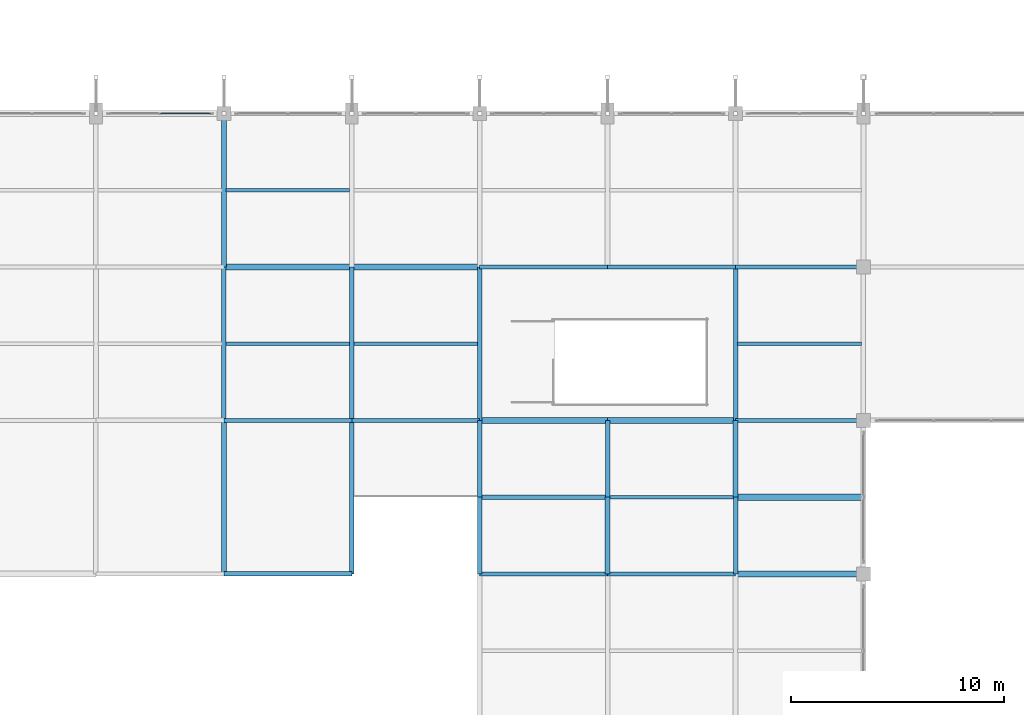
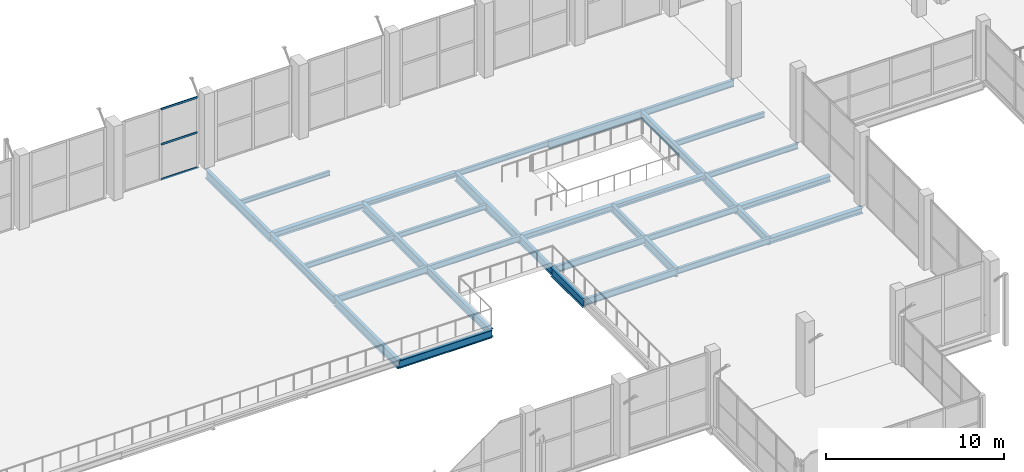
# One storey, part 57 of 127: 34 beams, 3 members, 1 element without a shape of its own.
"""IFC4 building model written with IfcOpenShell, lengths in metres."""

from ifc_helpers import new_model, si_unit, direction, frame, origin, origin_2d, place, context, subcontext, project, spatial, hollow_rectangle, i_section, extrude, material, layer, layer_set, material_profile, profile_set, type_object, element, aggregate, save


model = new_model("IFC4")

# Units and contexts
model_context = context("Model", 3, precision=1e-05, world=origin(), true_north=direction((0.0, 1.0)))
body_context = subcontext(model_context, "Body", "Model", "MODEL_VIEW")
ifc_project = project(units=[si_unit("LENGTHUNIT", "METRE"), si_unit("AREAUNIT", "SQUARE_METRE"), si_unit("VOLUMEUNIT", "CUBIC_METRE"), si_unit("PLANEANGLEUNIT", "RADIAN"), si_unit("MASSUNIT", "GRAM", prefix="KILO")], contexts=[model_context])

# Site, building, storey
site_placement = place(None, origin())
site = spatial("IfcSite", under=ifc_project, at=site_placement, CompositionType="ELEMENT")
building_placement = place(site_placement, origin())
building = spatial("IfcBuilding", under=site, at=building_placement, Name="Dunvalen Ferry Terminal", CompositionType="ELEMENT")
storey_placement = place(building_placement, frame((0.0, 0.0, 5.760009765625)))
storey = spatial("IfcBuildingStorey", under=building, at=storey_placement, Name="L01", CompositionType="ELEMENT", Elevation=5.760009765625)

# Curtain wall, members
ifc_material_1 = material(Name="Anodised marine aluminium and solar-control glazing", Category="aluminium")
ifc_layer = layer(ifc_material_1, 0.219970703125, Name="Anodised marine aluminium and solar-control glazing")
ifc_layer_set = layer_set([ifc_layer], Name="Anodised marine aluminium and solar-control glazing")
curtain_wall_type = type_object("IfcCurtainWallType", Name="ENV-CW-SYS-02", PredefinedType="NOTDEFINED", material=ifc_layer_set)
curtain_wall_placement = place(storey_placement, origin())
curtain_wall = element("IfcCurtainWall", 1, at=curtain_wall_placement, inside=storey, type_object=curtain_wall_type, Name="L01 Curtain Wall CW-V1N-L01-09", PredefinedType="NOTDEFINED")
ifc_material_2 = material(Name="Anodised marine aluminium EN AW-6063 T6", Category="aluminium")
ifc_material_profile_1 = material_profile(ifc_material_2, hollow_rectangle(XDim=0.06005859375, YDim=0.135009765625, WallThickness=0.003173828125, InnerFilletRadius=0.003173828125, OuterFilletRadius=0.00634765625, at=origin_2d()), Name="Anodised marine aluminium EN AW-6063 T6")
ifc_profile_set_1 = profile_set([ifc_material_profile_1], Name="Anodised marine aluminium EN AW-6063 T6")
member_type = type_object("IfcMemberType", Name="ENV-CW-TRN-2", PredefinedType="USERDEFINED", material=ifc_profile_set_1)
member_1_placement = place(storey_placement, frame((63.030029296875, 86.39990234375, 0.030029296875), z_axis=(1.0, 0.0, 0.0), x_axis=(0.0, 1.0, 0.0)))
member_1 = element("IfcMember", 2, at=member_1_placement, type_object=member_type, Name="CW-02 transom 2.1", ObjectType="TRANSOM", PredefinedType="USERDEFINED", context=body_context, shape_type="SweptSolid", body=[
    extrude(hollow_rectangle(XDim=0.06005859375, YDim=0.135009765625, WallThickness=0.003173828125, InnerFilletRadius=0.003173828125, OuterFilletRadius=0.00634765625, at=origin_2d()), origin(), (0.0, 0.0, 1.0), 2.349853515625),
])
member_2_placement = place(storey_placement, frame((63.030029296875, 86.39990234375, 2.429931640625), z_axis=(1.0, 0.0, 0.0), x_axis=(0.0, 1.0, 0.0)))
member_2 = element("IfcMember", 3, at=member_2_placement, type_object=member_type, Name="CW-02 transom 2.2", ObjectType="TRANSOM", PredefinedType="USERDEFINED", context=body_context, shape_type="SweptSolid", body=[
    extrude(hollow_rectangle(XDim=0.06005859375, YDim=0.135009765625, WallThickness=0.003173828125, InnerFilletRadius=0.003173828125, OuterFilletRadius=0.00634765625, at=origin_2d()), origin(), (0.0, 0.0, 1.0), 2.349853515625),
])
member_3_placement = place(storey_placement, frame((63.030029296875, 86.39990234375, 4.830078125), z_axis=(1.0, 0.0, 0.0), x_axis=(0.0, 1.0, 0.0)))
member_3 = element("IfcMember", 4, at=member_3_placement, type_object=member_type, Name="CW-02 transom 2.3", ObjectType="TRANSOM", PredefinedType="USERDEFINED", context=body_context, shape_type="SweptSolid", body=[
    extrude(hollow_rectangle(XDim=0.06005859375, YDim=0.135009765625, WallThickness=0.003173828125, InnerFilletRadius=0.003173828125, OuterFilletRadius=0.00634765625, at=origin_2d()), origin(), (0.0, 0.0, 1.0), 2.349853515625),
])
aggregate(curtain_wall, [member_1, member_2, member_3])

# Beams
ifc_material_3 = material(Name="Steel S355", Category="steel")
ifc_material_profile_2 = material_profile(ifc_material_3, i_section(OverallWidth=0.300048828125, OverallDepth=0.31005859375, WebThickness=0.009033203125, FlangeThickness=0.015380859375, FilletRadius=0.027099609375, at=origin_2d()), Name="Steel S355")
ifc_profile_set_2 = profile_set([ifc_material_profile_2], Name="Steel S355")
beam_type_1 = type_object("IfcBeamType", Name="STR-BM-HEA320", PredefinedType="SPANDREL", material=ifc_profile_set_2)
for number, where, z_axis, x_axis, name in (
    (5, (84.0, 72.0, -0.43505859375), (1.0, 0.0, 0.0), (0.0, 1.0, 0.0), "L01 V1M Primary Beam X-046"),
    (6, (72.0, 79.199951171875, -0.43505859375), (1.0, 0.0, 0.0), (0.0, 1.0, 0.0), "L01 V1M Primary Beam X-058"),
):
    element("IfcBeam", number, at=place(storey_placement, frame(where, z_axis=z_axis, x_axis=x_axis)), inside=storey, type_object=beam_type_1, Name=name, PredefinedType="SPANDREL", context=body_context, shape_type="SweptSolid", body=[
        extrude(i_section(OverallWidth=0.300048828125, OverallDepth=0.31005859375, WebThickness=0.009033203125, FlangeThickness=0.015380859375, FilletRadius=0.027099609375, at=origin_2d()), origin(), (0.0, 0.0, 1.0), 6.0),
    ])
ifc_material_profile_3 = material_profile(ifc_material_3, i_section(OverallWidth=0.300048828125, OverallDepth=0.389892578125, WebThickness=0.010986328125, FlangeThickness=0.01904296875, FilletRadius=0.027099609375, at=origin_2d()), Name="Steel S355")
ifc_profile_set_3 = profile_set([ifc_material_profile_3], Name="Steel S355")
beam_type_2 = type_object("IfcBeamType", Name="STR-BM-HEA400", PredefinedType="BEAM", material=ifc_profile_set_3)
for number, where, z_axis, x_axis, name in (
    (7, (90.0, 64.800048828125, -0.47509765625), (1.0, 0.0, 0.0), (0.0, 1.0, 0.0), "L01 V1M Primary Beam X-027"),
    (8, (90.0, 68.39990234375, -0.47509765625), (1.0, 0.0, 0.0), (0.0, 1.0, 0.0), "L01 V1M Primary Beam X-033"),
    (9, (78.0, 72.0, -0.47509765625), (1.0, 0.0, 0.0), (0.0, 1.0, 0.0), "L01 V1M Primary Beam X-045"),
    (10, (66.0, 79.199951171875, -0.47509765625), (1.0, 0.0, 0.0), (0.0, 1.0, 0.0), "L01 V1M Primary Beam X-057"),
):
    element("IfcBeam", number, at=place(storey_placement, frame(where, z_axis=z_axis, x_axis=x_axis)), inside=storey, type_object=beam_type_2, Name=name, PredefinedType="BEAM", context=body_context, shape_type="SweptSolid", body=[
        extrude(i_section(OverallWidth=0.300048828125, OverallDepth=0.389892578125, WebThickness=0.010986328125, FlangeThickness=0.01904296875, FilletRadius=0.027099609375, at=origin_2d()), origin(), (0.0, 0.0, 1.0), 6.0),
    ])
ifc_material_profile_4 = material_profile(ifc_material_3, i_section(OverallWidth=0.169921875, OverallDepth=0.360107421875, WebThickness=0.008056640625, FlangeThickness=0.0126953125, FilletRadius=0.01806640625, at=origin_2d()), Name="Steel S355")
ifc_profile_set_4 = profile_set([ifc_material_profile_4], Name="Steel S355")
beam_type_3 = type_object("IfcBeamType", Name="STR-BM-IPE360", PredefinedType="BEAM", material=ifc_profile_set_4)
for number, where, z_axis, x_axis, name in (
    (11, (90.0, 72.0, -0.4599609375), (1.0, 0.0, 0.0), (0.0, 1.0, 0.0), "L01 V1M Primary Beam X-047"),
    (12, (78.0, 79.199951171875, -0.4599609375), (1.0, 0.0, 0.0), (0.0, 1.0, 0.0), "L01 V1M Primary Beam X-059"),
):
    element("IfcBeam", number, at=place(storey_placement, frame(where, z_axis=z_axis, x_axis=x_axis)), inside=storey, type_object=beam_type_3, Name=name, PredefinedType="BEAM", context=body_context, shape_type="SweptSolid", body=[
        extrude(i_section(OverallWidth=0.169921875, OverallDepth=0.360107421875, WebThickness=0.008056640625, FlangeThickness=0.0126953125, FilletRadius=0.01806640625, at=origin_2d()), origin(), (0.0, 0.0, 1.0), 6.0),
    ])
ifc_material_profile_5 = material_profile(ifc_material_3, i_section(OverallWidth=0.1650390625, OverallDepth=0.303466796875, WebThickness=0.006103515625, FlangeThickness=0.01025390625, FilletRadius=0.0087890625, at=origin_2d()), Name="Steel S355")
ifc_profile_set_5 = profile_set([ifc_material_profile_5], Name="Steel S355")
beam_type_4 = type_object("IfcBeamType", Name="STR-BM-UKB305", PredefinedType="JOIST", material=ifc_profile_set_5)
beam_1_placement = place(storey_placement, frame((66.10009765625, 82.800048828125, -0.431640625), z_axis=(1.0, 0.0, 0.0), x_axis=(0.0, 1.0, 0.0)))
element("IfcBeam", 13, at=beam_1_placement, inside=storey, type_object=beam_type_4, Name="L01 V1M Secondary Joist 025", PredefinedType="JOIST", context=body_context, shape_type="SweptSolid", body=[
    extrude(i_section(OverallWidth=0.1650390625, OverallDepth=0.303466796875, WebThickness=0.006103515625, FlangeThickness=0.01025390625, FilletRadius=0.0087890625, at=origin_2d()), origin(), (0.0, 0.0, 1.0), 5.7998046875),
])
ifc_material_profile_6 = material_profile(ifc_material_3, i_section(OverallWidth=0.17138671875, OverallDepth=0.35498046875, WebThickness=0.00732421875, FlangeThickness=0.011474609375, FilletRadius=0.01025390625, at=origin_2d()), Name="Steel S355")
ifc_profile_set_6 = profile_set([ifc_material_profile_6], Name="Steel S355")
beam_type_5 = type_object("IfcBeamType", Name="STR-BM-UKB356", PredefinedType="JOIST", material=ifc_profile_set_6)
for number, where, z_axis, x_axis, name in (
    (14, (66.10009765625, 75.60009765625, -0.45751953125), (1.0, 0.0, 0.0), (0.0, 1.0, 0.0), "L01 V1M Secondary Joist 024"),
    (15, (72.10009765625, 75.60009765625, -0.45751953125), (1.0, 0.0, 0.0), (0.0, 1.0, 0.0), "L01 V1M Secondary Joist 026"),
    (16, (90.10009765625, 75.60009765625, -0.45751953125), (1.0, 0.0, 0.0), (0.0, 1.0, 0.0), "L01 V1M Secondary Joist 036"),
):
    element("IfcBeam", number, at=place(storey_placement, frame(where, z_axis=z_axis, x_axis=x_axis)), inside=storey, type_object=beam_type_5, Name=name, PredefinedType="JOIST", context=body_context, shape_type="SweptSolid", body=[
        extrude(i_section(OverallWidth=0.17138671875, OverallDepth=0.35498046875, WebThickness=0.00732421875, FlangeThickness=0.011474609375, FilletRadius=0.01025390625, at=origin_2d()), origin(), (0.0, 0.0, 1.0), 5.7998046875),
    ])
ifc_material_profile_7 = material_profile(ifc_material_3, i_section(OverallWidth=0.177978515625, OverallDepth=0.406494140625, WebThickness=0.0078125, FlangeThickness=0.0126953125, FilletRadius=0.01025390625, at=origin_2d()), Name="Steel S355")
ifc_profile_set_7 = profile_set([ifc_material_profile_7], Name="Steel S355")
beam_type_6 = type_object("IfcBeamType", Name="STR-BM-UKB406", PredefinedType="JOIST", material=ifc_profile_set_7)
for number, where, z_axis, x_axis, name in (
    (17, (84.0, 64.800048828125, -0.483154296875), (1.0, 0.0, 0.0), (0.0, 1.0, 0.0), "L01 V1M Primary Beam X-026"),
    (18, (84.0, 68.39990234375, -0.483154296875), (1.0, 0.0, 0.0), (0.0, 1.0, 0.0), "L01 V1M Primary Beam X-032"),
    (19, (72.0, 72.0, -0.483154296875), (1.0, 0.0, 0.0), (0.0, 1.0, 0.0), "L01 V1M Primary Beam X-044"),
):
    element("IfcBeam", number, at=place(storey_placement, frame(where, z_axis=z_axis, x_axis=x_axis)), inside=storey, type_object=beam_type_6, Name=name, PredefinedType="JOIST", context=body_context, shape_type="SweptSolid", body=[
        extrude(i_section(OverallWidth=0.177978515625, OverallDepth=0.406494140625, WebThickness=0.0078125, FlangeThickness=0.0126953125, FilletRadius=0.01025390625, at=origin_2d()), origin(), (0.0, 0.0, 1.0), 6.0),
    ])
ifc_material_profile_8 = material_profile(ifc_material_3, i_section(OverallWidth=0.1904296875, OverallDepth=0.45703125, WebThickness=0.009033203125, FlangeThickness=0.014404296875, FilletRadius=0.01025390625, at=origin_2d()), Name="Steel S355")
ifc_profile_set_8 = profile_set([ifc_material_profile_8], Name="Steel S355")
beam_type_7 = type_object("IfcBeamType", Name="STR-BM-UKB457", PredefinedType="BEAM", material=ifc_profile_set_8)
for number, where, z_axis, x_axis, name in (
    (20, (78.0, 64.800048828125, -0.508544921875), (1.0, 0.0, 0.0), (0.0, 1.0, 0.0), "L01 V1M Primary Beam X-025"),
    (21, (78.0, 68.39990234375, -0.508544921875), (1.0, 0.0, 0.0), (0.0, 1.0, 0.0), "L01 V1M Primary Beam X-031"),
    (22, (66.0, 72.0, -0.508544921875), (1.0, 0.0, 0.0), (0.0, 1.0, 0.0), "L01 V1M Primary Beam X-043"),
    (23, (90.0, 79.199951171875, -0.508544921875), (1.0, 0.0, 0.0), (0.0, 1.0, 0.0), "L01 V1M Primary Beam X-061"),
):
    element("IfcBeam", number, at=place(storey_placement, frame(where, z_axis=z_axis, x_axis=x_axis)), inside=storey, type_object=beam_type_7, Name=name, PredefinedType="BEAM", context=body_context, shape_type="SweptSolid", body=[
        extrude(i_section(OverallWidth=0.1904296875, OverallDepth=0.45703125, WebThickness=0.009033203125, FlangeThickness=0.014404296875, FilletRadius=0.01025390625, at=origin_2d()), origin(), (0.0, 0.0, 1.0), 6.0),
    ])
ifc_material_profile_9 = material_profile(ifc_material_3, i_section(OverallWidth=0.209228515625, OverallDepth=0.533203125, WebThickness=0.010009765625, FlangeThickness=0.015625, FilletRadius=0.0126953125, at=origin_2d()), Name="Steel S355")
ifc_profile_set_9 = profile_set([ifc_material_profile_9], Name="Steel S355")
beam_type_8 = type_object("IfcBeamType", Name="STR-BM-UKB533", PredefinedType="BEAM", material=ifc_profile_set_9)
for number, where, z_axis, x_axis, name in (
    (24, (66.0, 64.800048828125, -0.546630859375), (1.0, 0.0, 0.0), (0.0, 1.0, 0.0), "L01 V1M Primary Beam X-024"),
    (25, (84.0, 79.199951171875, -0.546630859375), (1.0, 0.0, 0.0), (0.0, 1.0, 0.0), "L01 V1M Primary Beam X-060"),
):
    element("IfcBeam", number, at=place(storey_placement, frame(where, z_axis=z_axis, x_axis=x_axis)), inside=storey, type_object=beam_type_8, Name=name, PredefinedType="BEAM", context=body_context, shape_type="SweptSolid", body=[
        extrude(i_section(OverallWidth=0.209228515625, OverallDepth=0.533203125, WebThickness=0.010009765625, FlangeThickness=0.015625, FilletRadius=0.0126953125, at=origin_2d()), origin(), (0.0, 0.0, 1.0), 6.0),
    ])
for number, where, z_axis, x_axis, name in (
    (26, (66.0, 72.0, -0.546630859375), (0.0, 1.0, 0.0), (-1.0, 0.0, 0.0), "L01 V1M Primary Girder Y-117"),
    (27, (72.0, 64.800048828125, -0.546630859375), (0.0, 1.0, 0.0), (-1.0, 0.0, 0.0), "L01 V1M Primary Girder Y-119"),
):
    element("IfcBeam", number, at=place(storey_placement, frame(where, z_axis=z_axis, x_axis=x_axis)), inside=storey, type_object=beam_type_8, Name=name, PredefinedType="BEAM", context=body_context, shape_type="SweptSolid", body=[
        extrude(i_section(OverallWidth=0.209228515625, OverallDepth=0.533203125, WebThickness=0.010009765625, FlangeThickness=0.015625, FilletRadius=0.0126953125, at=origin_2d()), origin(), (0.0, 0.0, 1.0), 7.199951171875),
    ])
for number, where, z_axis, x_axis, name in (
    (28, (78.0, 68.39990234375, -0.546630859375), (0.0, 1.0, 0.0), (-1.0, 0.0, 0.0), "L01 V1M Primary Girder Y-125"),
    (29, (84.0, 68.39990234375, -0.546630859375), (0.0, 1.0, 0.0), (-1.0, 0.0, 0.0), "L01 V1M Primary Girder Y-131"),
):
    element("IfcBeam", number, at=place(storey_placement, frame(where, z_axis=z_axis, x_axis=x_axis)), inside=storey, type_object=beam_type_8, Name=name, PredefinedType="BEAM", context=body_context, shape_type="SweptSolid", body=[
        extrude(i_section(OverallWidth=0.209228515625, OverallDepth=0.533203125, WebThickness=0.010009765625, FlangeThickness=0.015625, FilletRadius=0.0126953125, at=origin_2d()), origin(), (0.0, 0.0, 1.0), 3.60009765625),
    ])
beam_2_placement = place(storey_placement, frame((90.0, 64.800048828125, -0.546630859375), z_axis=(0.0, 1.0, 0.0), x_axis=(-1.0, 0.0, 0.0)))
element("IfcBeam", 30, at=beam_2_placement, inside=storey, type_object=beam_type_8, Name="L01 V1M Primary Girder Y-135", PredefinedType="BEAM", context=body_context, shape_type="SweptSolid", body=[
    extrude(i_section(OverallWidth=0.209228515625, OverallDepth=0.533203125, WebThickness=0.010009765625, FlangeThickness=0.015625, FilletRadius=0.0126953125, at=origin_2d()), origin(), (0.0, 0.0, 1.0), 3.599853515625),
])
beam_3_placement = place(storey_placement, frame((90.0, 72.0, -0.546630859375), z_axis=(0.0, 1.0, 0.0), x_axis=(-1.0, 0.0, 0.0)))
element("IfcBeam", 31, at=beam_3_placement, inside=storey, type_object=beam_type_8, Name="L01 V1M Primary Girder Y-137", PredefinedType="BEAM", context=body_context, shape_type="SweptSolid", body=[
    extrude(i_section(OverallWidth=0.209228515625, OverallDepth=0.533203125, WebThickness=0.010009765625, FlangeThickness=0.015625, FilletRadius=0.0126953125, at=origin_2d()), origin(), (0.0, 0.0, 1.0), 7.199951171875),
])
ifc_material_profile_10 = material_profile(ifc_material_3, i_section(OverallWidth=0.228271484375, OverallDepth=0.607666015625, WebThickness=0.010986328125, FlangeThickness=0.017333984375, FilletRadius=0.0126953125, at=origin_2d()), Name="Steel S355")
ifc_profile_set_10 = profile_set([ifc_material_profile_10], Name="Steel S355")
beam_type_9 = type_object("IfcBeamType", Name="STR-BM-UKB610", PredefinedType="BEAM", material=ifc_profile_set_10)
for number, where, z_axis, x_axis, name in (
    (32, (66.0, 64.800048828125, -0.583740234375), (0.0, 1.0, 0.0), (-1.0, 0.0, 0.0), "L01 V1M Primary Girder Y-116"),
    (33, (66.0, 79.199951171875, -0.583740234375), (0.0, 1.0, 0.0), (-1.0, 0.0, 0.0), "L01 V1M Primary Girder Y-118"),
    (34, (72.0, 72.0, -0.583740234375), (0.0, 1.0, 0.0), (-1.0, 0.0, 0.0), "L01 V1M Primary Girder Y-120"),
):
    element("IfcBeam", number, at=place(storey_placement, frame(where, z_axis=z_axis, x_axis=x_axis)), inside=storey, type_object=beam_type_9, Name=name, PredefinedType="BEAM", context=body_context, shape_type="SweptSolid", body=[
        extrude(i_section(OverallWidth=0.228271484375, OverallDepth=0.607666015625, WebThickness=0.010986328125, FlangeThickness=0.017333984375, FilletRadius=0.0126953125, at=origin_2d()), origin(), (0.0, 0.0, 1.0), 7.199951171875),
    ])
beam_4_placement = place(storey_placement, frame((78.0, 64.800048828125, -0.583740234375), z_axis=(0.0, 1.0, 0.0), x_axis=(-1.0, 0.0, 0.0)))
element("IfcBeam", 35, at=beam_4_placement, inside=storey, type_object=beam_type_9, Name="L01 V1M Primary Girder Y-124", PredefinedType="BEAM", context=body_context, shape_type="SweptSolid", body=[
    extrude(i_section(OverallWidth=0.228271484375, OverallDepth=0.607666015625, WebThickness=0.010986328125, FlangeThickness=0.017333984375, FilletRadius=0.0126953125, at=origin_2d()), origin(), (0.0, 0.0, 1.0), 3.599853515625),
])
beam_5_placement = place(storey_placement, frame((78.0, 72.0, -0.583740234375), z_axis=(0.0, 1.0, 0.0), x_axis=(-1.0, 0.0, 0.0)))
element("IfcBeam", 36, at=beam_5_placement, inside=storey, type_object=beam_type_9, Name="L01 V1M Primary Girder Y-126", PredefinedType="BEAM", context=body_context, shape_type="SweptSolid", body=[
    extrude(i_section(OverallWidth=0.228271484375, OverallDepth=0.607666015625, WebThickness=0.010986328125, FlangeThickness=0.017333984375, FilletRadius=0.0126953125, at=origin_2d()), origin(), (0.0, 0.0, 1.0), 7.199951171875),
])
beam_6_placement = place(storey_placement, frame((84.0, 64.800048828125, -0.583740234375), z_axis=(0.0, 1.0, 0.0), x_axis=(-1.0, 0.0, 0.0)))
element("IfcBeam", 37, at=beam_6_placement, inside=storey, type_object=beam_type_9, Name="L01 V1M Primary Girder Y-130", PredefinedType="BEAM", context=body_context, shape_type="SweptSolid", body=[
    extrude(i_section(OverallWidth=0.228271484375, OverallDepth=0.607666015625, WebThickness=0.010986328125, FlangeThickness=0.017333984375, FilletRadius=0.0126953125, at=origin_2d()), origin(), (0.0, 0.0, 1.0), 3.599853515625),
])
beam_7_placement = place(storey_placement, frame((90.0, 68.39990234375, -0.583740234375), z_axis=(0.0, 1.0, 0.0), x_axis=(-1.0, 0.0, 0.0)))
element("IfcBeam", 38, at=beam_7_placement, inside=storey, type_object=beam_type_9, Name="L01 V1M Primary Girder Y-136", PredefinedType="BEAM", context=body_context, shape_type="SweptSolid", body=[
    extrude(i_section(OverallWidth=0.228271484375, OverallDepth=0.607666015625, WebThickness=0.010986328125, FlangeThickness=0.017333984375, FilletRadius=0.0126953125, at=origin_2d()), origin(), (0.0, 0.0, 1.0), 3.60009765625),
])

save(model, "model.ifc")
